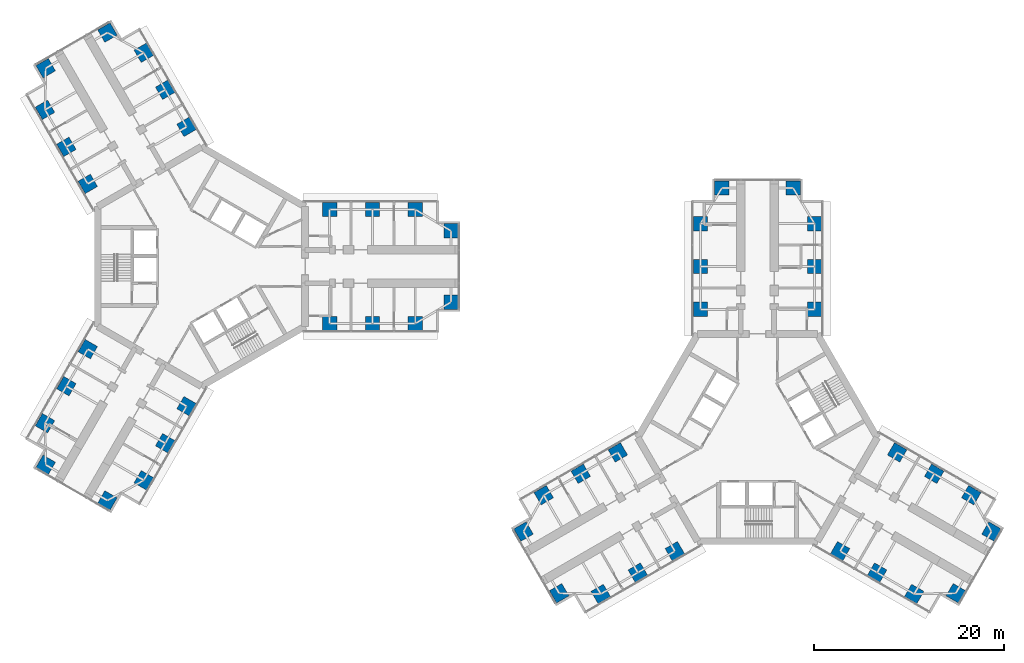
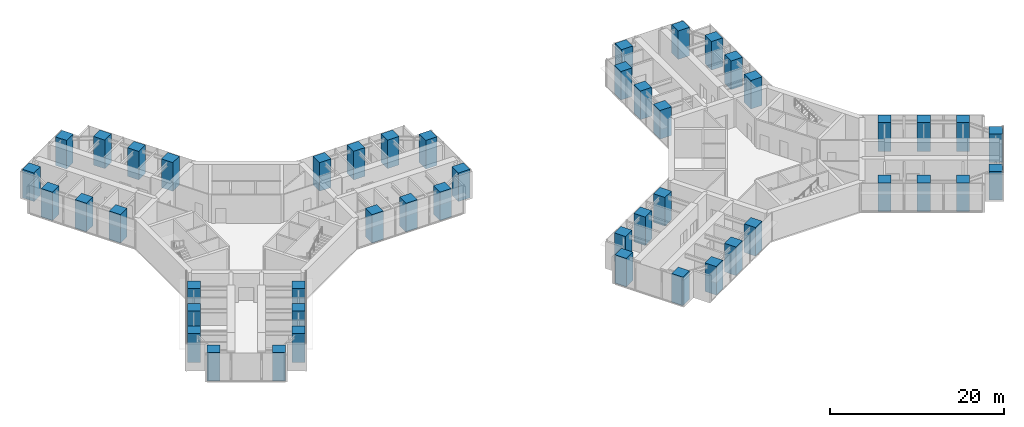
# One storey, part 1 of 22: 48 columns.
"""IFC4 building model written with IfcOpenShell, lengths in metres."""

from ifc_helpers import new_model, si_unit, direction, frame, origin, origin_2d, place, context, subcontext, project, spatial, rectangle, extrude, material, material_profile, profile_set, type_object, element, save


model = new_model("IFC4")

# Units and contexts
model_context = context("Model", 3, precision=1e-05, world=origin(), true_north=direction((0.0, 1.0)))
body_context = subcontext(model_context, "Body", "Model", "MODEL_VIEW")
ifc_project = project(units=[si_unit("LENGTHUNIT", "METRE"), si_unit("AREAUNIT", "SQUARE_METRE"), si_unit("VOLUMEUNIT", "CUBIC_METRE"), si_unit("PLANEANGLEUNIT", "RADIAN"), si_unit("MASSUNIT", "GRAM", prefix="KILO")], contexts=[model_context])

# Site, building, storey
site_placement = place(None, origin())
site = spatial("IfcSite", under=ifc_project, at=site_placement, CompositionType="ELEMENT")
building_placement = place(site_placement, origin())
building = spatial("IfcBuilding", under=site, at=building_placement, Name="Upepo Twin Towers", CompositionType="ELEMENT")
storey_placement = place(building_placement, frame((0.0, 0.0, 40.5)))
storey = spatial("IfcBuildingStorey", under=building, at=storey_placement, Name="L09", CompositionType="ELEMENT", Elevation=40.5)

# Columns
ifc_material = material(Name="Concrete C60/75", Category="concrete")
ifc_material_profile = material_profile(ifc_material, rectangle(XDim=1.5, YDim=1.5, at=origin_2d()), Name="RC 1500x1500")
ifc_profile_set = profile_set([ifc_material_profile], Name="Concrete C60/75")
column_type = type_object("IfcColumnType", Name="Tower column RC 1500x1500", PredefinedType="COLUMN", material=ifc_profile_set)
for number, where, z_axis, x_axis, name in (
    (1, (13.5, 6.0, 0.0), (0.0, 0.0, 1.0), (1.0, 0.0, 0.0), "T1 column AL135"),
    (2, (13.5, -6.0, 0.0), (0.0, 0.0, 1.0), (1.0, 0.0, 0.0), "T1 column AR135"),
    (3, (18.0, 6.0, 0.0), (0.0, 0.0, 1.0), (1.0, 0.0, 0.0), "T1 column AL180"),
    (4, (18.0, -6.0, 0.0), (0.0, 0.0, 1.0), (1.0, 0.0, 0.0), "T1 column AR180"),
    (5, (22.5, 6.0, 0.0), (0.0, 0.0, 1.0), (1.0, 0.0, 0.0), "T1 column AL225"),
    (6, (22.5, -6.0, 0.0), (0.0, 0.0, 1.0), (1.0, 0.0, 0.0), "T1 column AR225"),
    (7, (26.25, 3.75, 0.0), (0.0, 0.0, 1.0), (1.0, 0.0, 0.0), "T1 column ALN"),
    (8, (26.25, -3.75, 0.0), (0.0, 0.0, 1.0), (1.0, 0.0, 0.0), "T1 column ARN"),
    (9, (-11.946044921875, 8.69140625, 0.0), (0.0, 0.0, 1.0), (0.866025403784, 0.5, 0.0), "T1 column BL135"),
    (10, (-1.553955078125, 14.69140625, 0.0), (0.0, 0.0, 1.0), (0.866025403784, 0.5, 0.0), "T1 column BR135"),
    (11, (-14.196044921875, 12.58837890625, 0.0), (0.0, 0.0, 1.0), (0.866025403784, 0.5, 0.0), "T1 column BL180"),
    (12, (-3.803955078125, 18.58837890625, 0.0), (0.0, 0.0, 1.0), (0.866025403784, 0.5, 0.0), "T1 column BR180"),
    (13, (-16.446044921875, 16.485595703125, 0.0), (0.0, 0.0, 1.0), (0.866025403784, 0.5, 0.0), "T1 column BL225"),
    (14, (-6.053955078125, 22.485595703125, 0.0), (0.0, 0.0, 1.0), (0.866025403784, 0.5, 0.0), "T1 column BR225"),
    (15, (-16.37255859375, 20.858154296875, 0.0), (0.0, 0.0, 1.0), (0.866025403784, 0.5, 0.0), "T1 column BLN"),
    (16, (-9.87744140625, 24.608154296875, 0.0), (0.0, 0.0, 1.0), (0.866025403784, 0.5, 0.0), "T1 column BRN"),
    (17, (-1.553955078125, -14.69140625, 0.0), (0.0, 0.0, 1.0), (0.5, 0.866025403784, 0.0), "T1 column CL135"),
    (18, (-11.946044921875, -8.69140625, 0.0), (0.0, 0.0, 1.0), (0.5, 0.866025403784, 0.0), "T1 column CR135"),
    (19, (-3.803955078125, -18.58837890625, 0.0), (0.0, 0.0, 1.0), (0.5, 0.866025403784, 0.0), "T1 column CL180"),
    (20, (-14.196044921875, -12.58837890625, 0.0), (0.0, 0.0, 1.0), (0.5, 0.866025403784, 0.0), "T1 column CR180"),
    (21, (-6.053955078125, -22.485595703125, 0.0), (0.0, 0.0, 1.0), (0.5, 0.866025403784, 0.0), "T1 column CL225"),
    (22, (-16.446044921875, -16.485595703125, 0.0), (0.0, 0.0, 1.0), (0.5, 0.866025403784, 0.0), "T1 column CR225"),
    (23, (-9.87744140625, -24.608154296875, 0.0), (0.0, 0.0, 1.0), (0.5, 0.866025403784, 0.0), "T1 column CLN"),
    (24, (-16.37255859375, -20.858154296875, 0.0), (0.0, 0.0, 1.0), (0.5, 0.866025403784, 0.0), "T1 column CRN"),
    (25, (52.5, -4.5, 0.0), (0.0, 0.0, 1.0), (1.0, 0.0, 0.0), "T2 column AL135"),
    (26, (64.5, -4.5, 0.0), (0.0, 0.0, 1.0), (1.0, 0.0, 0.0), "T2 column AR135"),
    (27, (52.5, 0.0, 0.0), (0.0, 0.0, 1.0), (1.0, 0.0, 0.0), "T2 column AL180"),
    (28, (64.5, 0.0, 0.0), (0.0, 0.0, 1.0), (1.0, 0.0, 0.0), "T2 column AR180"),
    (29, (52.5, 4.5, 0.0), (0.0, 0.0, 1.0), (1.0, 0.0, 0.0), "T2 column AL225"),
    (30, (64.5, 4.5, 0.0), (0.0, 0.0, 1.0), (1.0, 0.0, 0.0), "T2 column AR225"),
    (31, (54.75, 8.25, 0.0), (0.0, 0.0, 1.0), (1.0, 0.0, 0.0), "T2 column ALN"),
    (32, (62.25, 8.25, 0.0), (0.0, 0.0, 1.0), (1.0, 0.0, 0.0), "T2 column ARN"),
    (33, (49.80859375, -29.946044921875, 0.0), (0.0, 0.0, 1.0), (0.866025403784, 0.5, 0.0), "T2 column BL135"),
    (34, (43.80859375, -19.553955078125, 0.0), (0.0, 0.0, 1.0), (0.866025403784, 0.5, 0.0), "T2 column BR135"),
    (35, (45.91162109375, -32.196044921875, 0.0), (0.0, 0.0, 1.0), (0.866025403784, 0.5, 0.0), "T2 column BL180"),
    (36, (39.91162109375, -21.803955078125, 0.0), (0.0, 0.0, 1.0), (0.866025403784, 0.5, 0.0), "T2 column BR180"),
    (37, (42.014404296875, -34.446044921875, 0.0), (0.0, 0.0, 1.0), (0.866025403784, 0.5, 0.0), "T2 column BL225"),
    (38, (36.014404296875, -24.053955078125, 0.0), (0.0, 0.0, 1.0), (0.866025403784, 0.5, 0.0), "T2 column BR225"),
    (39, (37.641845703125, -34.37255859375, 0.0), (0.0, 0.0, 1.0), (0.866025403784, 0.5, 0.0), "T2 column BLN"),
    (40, (33.891845703125, -27.87744140625, 0.0), (0.0, 0.0, 1.0), (0.866025403784, 0.5, 0.0), "T2 column BRN"),
    (41, (73.19140625, -19.553955078125, 0.0), (0.0, 0.0, 1.0), (0.5, 0.866025403784, 0.0), "T2 column CL135"),
    (42, (67.19140625, -29.946044921875, 0.0), (0.0, 0.0, 1.0), (0.5, 0.866025403784, 0.0), "T2 column CR135"),
    (43, (77.08837890625, -21.803955078125, 0.0), (0.0, 0.0, 1.0), (0.5, 0.866025403784, 0.0), "T2 column CL180"),
    (44, (71.08837890625, -32.196044921875, 0.0), (0.0, 0.0, 1.0), (0.5, 0.866025403784, 0.0), "T2 column CR180"),
    (45, (80.985595703125, -24.053955078125, 0.0), (0.0, 0.0, 1.0), (0.5, 0.866025403784, 0.0), "T2 column CL225"),
    (46, (74.985595703125, -34.446044921875, 0.0), (0.0, 0.0, 1.0), (0.5, 0.866025403784, 0.0), "T2 column CR225"),
    (47, (83.108154296875, -27.87744140625, 0.0), (0.0, 0.0, 1.0), (0.5, 0.866025403784, 0.0), "T2 column CLN"),
    (48, (79.358154296875, -34.37255859375, 0.0), (0.0, 0.0, 1.0), (0.5, 0.866025403784, 0.0), "T2 column CRN"),
):
    element("IfcColumn", number, at=place(storey_placement, frame(where, z_axis=z_axis, x_axis=x_axis)), inside=storey, type_object=column_type, Name=name, PredefinedType="COLUMN", context=body_context, shape_type="SweptSolid", body=[
        extrude(rectangle(XDim=1.5, YDim=1.5, at=origin_2d()), origin(), (0.0, 0.0, 1.0), 4.0),
    ])

save(model, "model.ifc")
